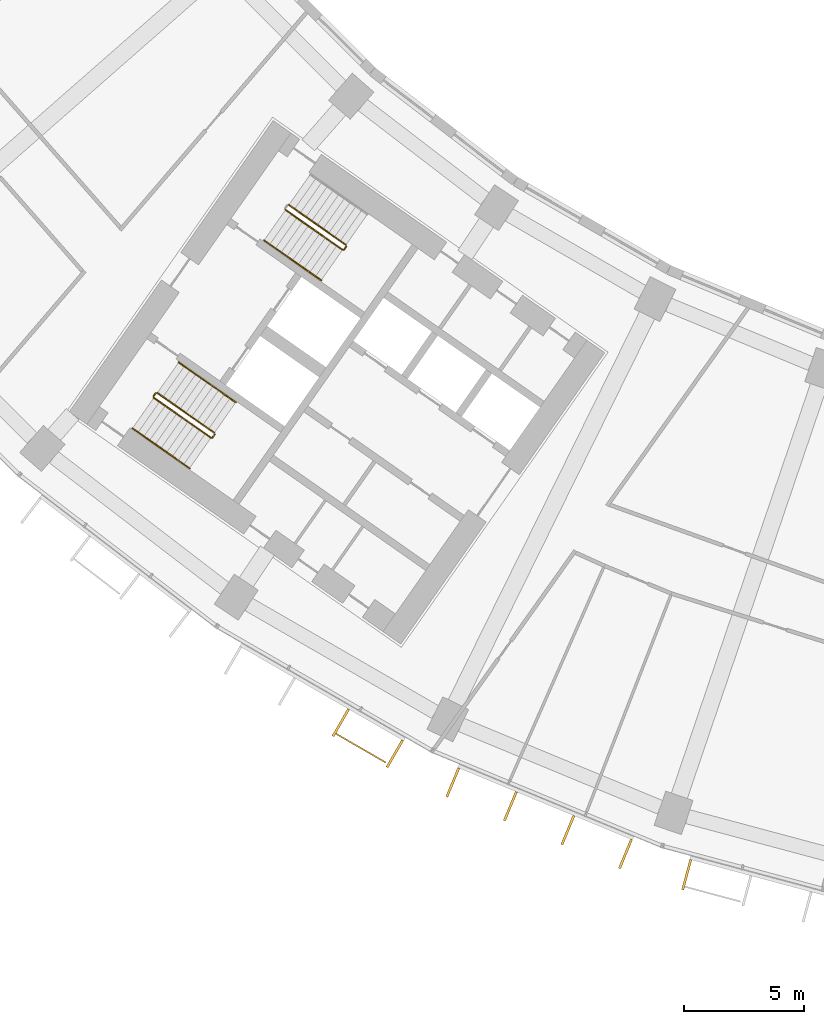
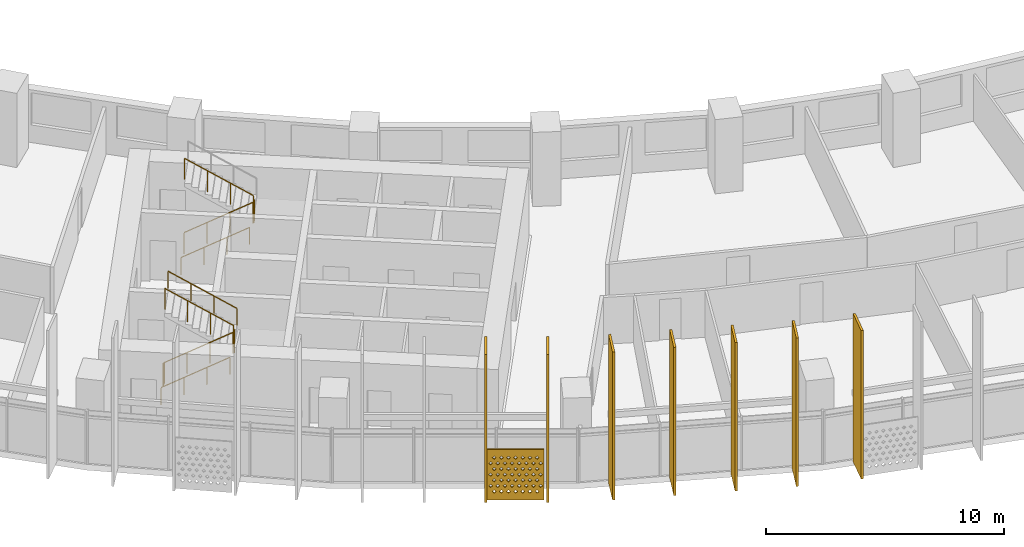
# One storey, part 24 of 30: 8 railings, 8 shading devices.
"""IFC4 building model written with IfcOpenShell, lengths in metres."""

from ifc_helpers import new_model, si_unit, direction, frame, origin, origin_2d, place, context, subcontext, project, spatial, polyline, rectangle, circle, outline, extrude, material, material_profile, profile_set, type_object, element, save


model = new_model("IFC4")

# Units and contexts
model_context = context("Model", 3, precision=1e-05, world=origin(), true_north=direction((0.0, 1.0)))
body_context = subcontext(model_context, "Body", "Model", "MODEL_VIEW")
ifc_project = project(units=[si_unit("LENGTHUNIT", "METRE"), si_unit("AREAUNIT", "SQUARE_METRE"), si_unit("VOLUMEUNIT", "CUBIC_METRE"), si_unit("PLANEANGLEUNIT", "RADIAN"), si_unit("MASSUNIT", "GRAM", prefix="KILO")], contexts=[model_context])

# Site, building, storey
site_placement = place(None, origin())
site = spatial("IfcSite", under=ifc_project, at=site_placement, CompositionType="ELEMENT")
building_placement = place(site_placement, origin())
building = spatial("IfcBuilding", under=site, at=building_placement, Name="Qamariyya Broadcast Tower", CompositionType="ELEMENT")
storey_placement = place(building_placement, frame((0.0, 0.0, 117.699951171875)))
storey = spatial("IfcBuildingStorey", under=building, at=storey_placement, Name="L26", CompositionType="ELEMENT", Elevation=117.699951171875)

# Shading device
ifc_material_1 = material(Name="Perforated glazed terracotta", Category="masonry")
ifc_material_profile_1 = material_profile(ifc_material_1, outline(polyline([(-1.199951171875, -1.300048828125), (1.199951171875, -1.300048828125), (1.199951171875, 1.300048828125), (-1.199951171875, 1.300048828125), (-1.199951171875, -1.300048828125)]), holes=[polyline([(-0.81494140625, -0.86669921875), (-0.89990234375, -0.78173828125), (-0.985107421875, -0.86669921875), (-0.89990234375, -0.95166015625), (-0.81494140625, -0.86669921875)]), polyline([(-0.514892578125, -0.86669921875), (-0.60009765625, -0.78173828125), (-0.68505859375, -0.86669921875), (-0.60009765625, -0.95166015625), (-0.514892578125, -0.86669921875)]), polyline([(-0.215087890625, -0.86669921875), (-0.300048828125, -0.78173828125), (-0.385009765625, -0.86669921875), (-0.300048828125, -0.95166015625), (-0.215087890625, -0.86669921875)]), polyline([(0.0849609375, -0.86669921875), (0.0, -0.78173828125), (-0.0849609375, -0.86669921875), (0.0, -0.95166015625), (0.0849609375, -0.86669921875)]), polyline([(0.385009765625, -0.86669921875), (0.300048828125, -0.78173828125), (0.215087890625, -0.86669921875), (0.300048828125, -0.95166015625), (0.385009765625, -0.86669921875)]), polyline([(0.68505859375, -0.86669921875), (0.60009765625, -0.78173828125), (0.514892578125, -0.86669921875), (0.60009765625, -0.95166015625), (0.68505859375, -0.86669921875)]), polyline([(0.985107421875, -0.86669921875), (0.89990234375, -0.78173828125), (0.81494140625, -0.86669921875), (0.89990234375, -0.95166015625), (0.985107421875, -0.86669921875)]), polyline([(-0.965087890625, -0.577880859375), (-1.050048828125, -0.49267578125), (-1.135009765625, -0.577880859375), (-1.050048828125, -0.662841796875), (-0.965087890625, -0.577880859375)]), polyline([(-0.6650390625, -0.577880859375), (-0.75, -0.49267578125), (-0.8349609375, -0.577880859375), (-0.75, -0.662841796875), (-0.6650390625, -0.577880859375)]), polyline([(-0.364990234375, -0.577880859375), (-0.449951171875, -0.49267578125), (-0.534912109375, -0.577880859375), (-0.449951171875, -0.662841796875), (-0.364990234375, -0.577880859375)]), polyline([(-0.06494140625, -0.577880859375), (-0.14990234375, -0.49267578125), (-0.235107421875, -0.577880859375), (-0.14990234375, -0.662841796875), (-0.06494140625, -0.577880859375)]), polyline([(0.235107421875, -0.577880859375), (0.14990234375, -0.49267578125), (0.06494140625, -0.577880859375), (0.14990234375, -0.662841796875), (0.235107421875, -0.577880859375)]), polyline([(0.534912109375, -0.577880859375), (0.449951171875, -0.49267578125), (0.364990234375, -0.577880859375), (0.449951171875, -0.662841796875), (0.534912109375, -0.577880859375)]), polyline([(0.8349609375, -0.577880859375), (0.75, -0.49267578125), (0.6650390625, -0.577880859375), (0.75, -0.662841796875), (0.8349609375, -0.577880859375)]), polyline([(1.135009765625, -0.577880859375), (1.050048828125, -0.49267578125), (0.965087890625, -0.577880859375), (1.050048828125, -0.662841796875), (1.135009765625, -0.577880859375)]), polyline([(-0.81494140625, -0.288818359375), (-0.89990234375, -0.203857421875), (-0.985107421875, -0.288818359375), (-0.89990234375, -0.373779296875), (-0.81494140625, -0.288818359375)]), polyline([(-0.514892578125, -0.288818359375), (-0.60009765625, -0.203857421875), (-0.68505859375, -0.288818359375), (-0.60009765625, -0.373779296875), (-0.514892578125, -0.288818359375)]), polyline([(-0.215087890625, -0.288818359375), (-0.300048828125, -0.203857421875), (-0.385009765625, -0.288818359375), (-0.300048828125, -0.373779296875), (-0.215087890625, -0.288818359375)]), polyline([(0.0849609375, -0.288818359375), (0.0, -0.203857421875), (-0.0849609375, -0.288818359375), (0.0, -0.373779296875), (0.0849609375, -0.288818359375)]), polyline([(0.385009765625, -0.288818359375), (0.300048828125, -0.203857421875), (0.215087890625, -0.288818359375), (0.300048828125, -0.373779296875), (0.385009765625, -0.288818359375)]), polyline([(0.68505859375, -0.288818359375), (0.60009765625, -0.203857421875), (0.514892578125, -0.288818359375), (0.60009765625, -0.373779296875), (0.68505859375, -0.288818359375)]), polyline([(0.985107421875, -0.288818359375), (0.89990234375, -0.203857421875), (0.81494140625, -0.288818359375), (0.89990234375, -0.373779296875), (0.985107421875, -0.288818359375)]), polyline([(-0.965087890625, 0.0), (-1.050048828125, 0.0849609375), (-1.135009765625, 0.0), (-1.050048828125, -0.0849609375), (-0.965087890625, 0.0)]), polyline([(-0.6650390625, 0.0), (-0.75, 0.0849609375), (-0.8349609375, 0.0), (-0.75, -0.0849609375), (-0.6650390625, 0.0)]), polyline([(-0.364990234375, 0.0), (-0.449951171875, 0.0849609375), (-0.534912109375, 0.0), (-0.449951171875, -0.0849609375), (-0.364990234375, 0.0)]), polyline([(-0.06494140625, 0.0), (-0.14990234375, 0.0849609375), (-0.235107421875, 0.0), (-0.14990234375, -0.0849609375), (-0.06494140625, 0.0)]), polyline([(0.235107421875, 0.0), (0.14990234375, 0.0849609375), (0.06494140625, 0.0), (0.14990234375, -0.0849609375), (0.235107421875, 0.0)]), polyline([(0.534912109375, 0.0), (0.449951171875, 0.0849609375), (0.364990234375, 0.0), (0.449951171875, -0.0849609375), (0.534912109375, 0.0)]), polyline([(0.8349609375, 0.0), (0.75, 0.0849609375), (0.6650390625, 0.0), (0.75, -0.0849609375), (0.8349609375, 0.0)]), polyline([(1.135009765625, 0.0), (1.050048828125, 0.0849609375), (0.965087890625, 0.0), (1.050048828125, -0.0849609375), (1.135009765625, 0.0)]), polyline([(-0.81494140625, 0.288818359375), (-0.89990234375, 0.373779296875), (-0.985107421875, 0.288818359375), (-0.89990234375, 0.203857421875), (-0.81494140625, 0.288818359375)]), polyline([(-0.514892578125, 0.288818359375), (-0.60009765625, 0.373779296875), (-0.68505859375, 0.288818359375), (-0.60009765625, 0.203857421875), (-0.514892578125, 0.288818359375)]), polyline([(-0.215087890625, 0.288818359375), (-0.300048828125, 0.373779296875), (-0.385009765625, 0.288818359375), (-0.300048828125, 0.203857421875), (-0.215087890625, 0.288818359375)]), polyline([(0.0849609375, 0.288818359375), (0.0, 0.373779296875), (-0.0849609375, 0.288818359375), (0.0, 0.203857421875), (0.0849609375, 0.288818359375)]), polyline([(0.385009765625, 0.288818359375), (0.300048828125, 0.373779296875), (0.215087890625, 0.288818359375), (0.300048828125, 0.203857421875), (0.385009765625, 0.288818359375)]), polyline([(0.68505859375, 0.288818359375), (0.60009765625, 0.373779296875), (0.514892578125, 0.288818359375), (0.60009765625, 0.203857421875), (0.68505859375, 0.288818359375)]), polyline([(0.985107421875, 0.288818359375), (0.89990234375, 0.373779296875), (0.81494140625, 0.288818359375), (0.89990234375, 0.203857421875), (0.985107421875, 0.288818359375)]), polyline([(-0.965087890625, 0.577880859375), (-1.050048828125, 0.662841796875), (-1.135009765625, 0.577880859375), (-1.050048828125, 0.49267578125), (-0.965087890625, 0.577880859375)]), polyline([(-0.6650390625, 0.577880859375), (-0.75, 0.662841796875), (-0.8349609375, 0.577880859375), (-0.75, 0.49267578125), (-0.6650390625, 0.577880859375)]), polyline([(-0.364990234375, 0.577880859375), (-0.449951171875, 0.662841796875), (-0.534912109375, 0.577880859375), (-0.449951171875, 0.49267578125), (-0.364990234375, 0.577880859375)]), polyline([(-0.06494140625, 0.577880859375), (-0.14990234375, 0.662841796875), (-0.235107421875, 0.577880859375), (-0.14990234375, 0.49267578125), (-0.06494140625, 0.577880859375)]), polyline([(0.235107421875, 0.577880859375), (0.14990234375, 0.662841796875), (0.06494140625, 0.577880859375), (0.14990234375, 0.49267578125), (0.235107421875, 0.577880859375)]), polyline([(0.534912109375, 0.577880859375), (0.449951171875, 0.662841796875), (0.364990234375, 0.577880859375), (0.449951171875, 0.49267578125), (0.534912109375, 0.577880859375)]), polyline([(0.8349609375, 0.577880859375), (0.75, 0.662841796875), (0.6650390625, 0.577880859375), (0.75, 0.49267578125), (0.8349609375, 0.577880859375)]), polyline([(1.135009765625, 0.577880859375), (1.050048828125, 0.662841796875), (0.965087890625, 0.577880859375), (1.050048828125, 0.49267578125), (1.135009765625, 0.577880859375)]), polyline([(-0.81494140625, 0.86669921875), (-0.89990234375, 0.95166015625), (-0.985107421875, 0.86669921875), (-0.89990234375, 0.78173828125), (-0.81494140625, 0.86669921875)]), polyline([(-0.514892578125, 0.86669921875), (-0.60009765625, 0.95166015625), (-0.68505859375, 0.86669921875), (-0.60009765625, 0.78173828125), (-0.514892578125, 0.86669921875)]), polyline([(-0.215087890625, 0.86669921875), (-0.300048828125, 0.95166015625), (-0.385009765625, 0.86669921875), (-0.300048828125, 0.78173828125), (-0.215087890625, 0.86669921875)]), polyline([(0.0849609375, 0.86669921875), (0.0, 0.95166015625), (-0.0849609375, 0.86669921875), (0.0, 0.78173828125), (0.0849609375, 0.86669921875)]), polyline([(0.385009765625, 0.86669921875), (0.300048828125, 0.95166015625), (0.215087890625, 0.86669921875), (0.300048828125, 0.78173828125), (0.385009765625, 0.86669921875)]), polyline([(0.68505859375, 0.86669921875), (0.60009765625, 0.95166015625), (0.514892578125, 0.86669921875), (0.60009765625, 0.78173828125), (0.68505859375, 0.86669921875)]), polyline([(0.985107421875, 0.86669921875), (0.89990234375, 0.95166015625), (0.81494140625, 0.86669921875), (0.89990234375, 0.78173828125), (0.985107421875, 0.86669921875)])]))
ifc_profile_set_1 = profile_set([ifc_material_profile_1], Name="Perforated glazed terracotta")
shading_device_type_1 = type_object("IfcShadingDeviceType", Name="Perforated terracotta screen 2400 x 2600", PredefinedType="USERDEFINED", material=ifc_profile_set_1)
shading_device_placement = place(storey_placement, frame((-37.99462890625, -70.90185546875, 1.35009765625), z_axis=(-0.500074377092, -0.865982457891, 0.0), x_axis=(0.865982457891, -0.500074377092, 0.0)))
element("IfcShadingDevice", 1, at=shading_device_placement, inside=storey, type_object=shading_device_type_1, Name="e-scr-L26-05-2", ObjectType="SCREEN", PredefinedType="USERDEFINED", context=body_context, shape_type="SweptSolid", body=[
    extrude(outline(polyline([(-1.199951171875, -1.300048828125), (1.199951171875, -1.300048828125), (1.199951171875, 1.300048828125), (-1.199951171875, 1.300048828125), (-1.199951171875, -1.300048828125)]), holes=[polyline([(-0.81494140625, -0.86669921875), (-0.89990234375, -0.78173828125), (-0.985107421875, -0.86669921875), (-0.89990234375, -0.95166015625), (-0.81494140625, -0.86669921875)]), polyline([(-0.514892578125, -0.86669921875), (-0.60009765625, -0.78173828125), (-0.68505859375, -0.86669921875), (-0.60009765625, -0.95166015625), (-0.514892578125, -0.86669921875)]), polyline([(-0.215087890625, -0.86669921875), (-0.300048828125, -0.78173828125), (-0.385009765625, -0.86669921875), (-0.300048828125, -0.95166015625), (-0.215087890625, -0.86669921875)]), polyline([(0.0849609375, -0.86669921875), (0.0, -0.78173828125), (-0.0849609375, -0.86669921875), (0.0, -0.95166015625), (0.0849609375, -0.86669921875)]), polyline([(0.385009765625, -0.86669921875), (0.300048828125, -0.78173828125), (0.215087890625, -0.86669921875), (0.300048828125, -0.95166015625), (0.385009765625, -0.86669921875)]), polyline([(0.68505859375, -0.86669921875), (0.60009765625, -0.78173828125), (0.514892578125, -0.86669921875), (0.60009765625, -0.95166015625), (0.68505859375, -0.86669921875)]), polyline([(0.985107421875, -0.86669921875), (0.89990234375, -0.78173828125), (0.81494140625, -0.86669921875), (0.89990234375, -0.95166015625), (0.985107421875, -0.86669921875)]), polyline([(-0.965087890625, -0.577880859375), (-1.050048828125, -0.49267578125), (-1.135009765625, -0.577880859375), (-1.050048828125, -0.662841796875), (-0.965087890625, -0.577880859375)]), polyline([(-0.6650390625, -0.577880859375), (-0.75, -0.49267578125), (-0.8349609375, -0.577880859375), (-0.75, -0.662841796875), (-0.6650390625, -0.577880859375)]), polyline([(-0.364990234375, -0.577880859375), (-0.449951171875, -0.49267578125), (-0.534912109375, -0.577880859375), (-0.449951171875, -0.662841796875), (-0.364990234375, -0.577880859375)]), polyline([(-0.06494140625, -0.577880859375), (-0.14990234375, -0.49267578125), (-0.235107421875, -0.577880859375), (-0.14990234375, -0.662841796875), (-0.06494140625, -0.577880859375)]), polyline([(0.235107421875, -0.577880859375), (0.14990234375, -0.49267578125), (0.06494140625, -0.577880859375), (0.14990234375, -0.662841796875), (0.235107421875, -0.577880859375)]), polyline([(0.534912109375, -0.577880859375), (0.449951171875, -0.49267578125), (0.364990234375, -0.577880859375), (0.449951171875, -0.662841796875), (0.534912109375, -0.577880859375)]), polyline([(0.8349609375, -0.577880859375), (0.75, -0.49267578125), (0.6650390625, -0.577880859375), (0.75, -0.662841796875), (0.8349609375, -0.577880859375)]), polyline([(1.135009765625, -0.577880859375), (1.050048828125, -0.49267578125), (0.965087890625, -0.577880859375), (1.050048828125, -0.662841796875), (1.135009765625, -0.577880859375)]), polyline([(-0.81494140625, -0.288818359375), (-0.89990234375, -0.203857421875), (-0.985107421875, -0.288818359375), (-0.89990234375, -0.373779296875), (-0.81494140625, -0.288818359375)]), polyline([(-0.514892578125, -0.288818359375), (-0.60009765625, -0.203857421875), (-0.68505859375, -0.288818359375), (-0.60009765625, -0.373779296875), (-0.514892578125, -0.288818359375)]), polyline([(-0.215087890625, -0.288818359375), (-0.300048828125, -0.203857421875), (-0.385009765625, -0.288818359375), (-0.300048828125, -0.373779296875), (-0.215087890625, -0.288818359375)]), polyline([(0.0849609375, -0.288818359375), (0.0, -0.203857421875), (-0.0849609375, -0.288818359375), (0.0, -0.373779296875), (0.0849609375, -0.288818359375)]), polyline([(0.385009765625, -0.288818359375), (0.300048828125, -0.203857421875), (0.215087890625, -0.288818359375), (0.300048828125, -0.373779296875), (0.385009765625, -0.288818359375)]), polyline([(0.68505859375, -0.288818359375), (0.60009765625, -0.203857421875), (0.514892578125, -0.288818359375), (0.60009765625, -0.373779296875), (0.68505859375, -0.288818359375)]), polyline([(0.985107421875, -0.288818359375), (0.89990234375, -0.203857421875), (0.81494140625, -0.288818359375), (0.89990234375, -0.373779296875), (0.985107421875, -0.288818359375)]), polyline([(-0.965087890625, 0.0), (-1.050048828125, 0.0849609375), (-1.135009765625, 0.0), (-1.050048828125, -0.0849609375), (-0.965087890625, 0.0)]), polyline([(-0.6650390625, 0.0), (-0.75, 0.0849609375), (-0.8349609375, 0.0), (-0.75, -0.0849609375), (-0.6650390625, 0.0)]), polyline([(-0.364990234375, 0.0), (-0.449951171875, 0.0849609375), (-0.534912109375, 0.0), (-0.449951171875, -0.0849609375), (-0.364990234375, 0.0)]), polyline([(-0.06494140625, 0.0), (-0.14990234375, 0.0849609375), (-0.235107421875, 0.0), (-0.14990234375, -0.0849609375), (-0.06494140625, 0.0)]), polyline([(0.235107421875, 0.0), (0.14990234375, 0.0849609375), (0.06494140625, 0.0), (0.14990234375, -0.0849609375), (0.235107421875, 0.0)]), polyline([(0.534912109375, 0.0), (0.449951171875, 0.0849609375), (0.364990234375, 0.0), (0.449951171875, -0.0849609375), (0.534912109375, 0.0)]), polyline([(0.8349609375, 0.0), (0.75, 0.0849609375), (0.6650390625, 0.0), (0.75, -0.0849609375), (0.8349609375, 0.0)]), polyline([(1.135009765625, 0.0), (1.050048828125, 0.0849609375), (0.965087890625, 0.0), (1.050048828125, -0.0849609375), (1.135009765625, 0.0)]), polyline([(-0.81494140625, 0.288818359375), (-0.89990234375, 0.373779296875), (-0.985107421875, 0.288818359375), (-0.89990234375, 0.203857421875), (-0.81494140625, 0.288818359375)]), polyline([(-0.514892578125, 0.288818359375), (-0.60009765625, 0.373779296875), (-0.68505859375, 0.288818359375), (-0.60009765625, 0.203857421875), (-0.514892578125, 0.288818359375)]), polyline([(-0.215087890625, 0.288818359375), (-0.300048828125, 0.373779296875), (-0.385009765625, 0.288818359375), (-0.300048828125, 0.203857421875), (-0.215087890625, 0.288818359375)]), polyline([(0.0849609375, 0.288818359375), (0.0, 0.373779296875), (-0.0849609375, 0.288818359375), (0.0, 0.203857421875), (0.0849609375, 0.288818359375)]), polyline([(0.385009765625, 0.288818359375), (0.300048828125, 0.373779296875), (0.215087890625, 0.288818359375), (0.300048828125, 0.203857421875), (0.385009765625, 0.288818359375)]), polyline([(0.68505859375, 0.288818359375), (0.60009765625, 0.373779296875), (0.514892578125, 0.288818359375), (0.60009765625, 0.203857421875), (0.68505859375, 0.288818359375)]), polyline([(0.985107421875, 0.288818359375), (0.89990234375, 0.373779296875), (0.81494140625, 0.288818359375), (0.89990234375, 0.203857421875), (0.985107421875, 0.288818359375)]), polyline([(-0.965087890625, 0.577880859375), (-1.050048828125, 0.662841796875), (-1.135009765625, 0.577880859375), (-1.050048828125, 0.49267578125), (-0.965087890625, 0.577880859375)]), polyline([(-0.6650390625, 0.577880859375), (-0.75, 0.662841796875), (-0.8349609375, 0.577880859375), (-0.75, 0.49267578125), (-0.6650390625, 0.577880859375)]), polyline([(-0.364990234375, 0.577880859375), (-0.449951171875, 0.662841796875), (-0.534912109375, 0.577880859375), (-0.449951171875, 0.49267578125), (-0.364990234375, 0.577880859375)]), polyline([(-0.06494140625, 0.577880859375), (-0.14990234375, 0.662841796875), (-0.235107421875, 0.577880859375), (-0.14990234375, 0.49267578125), (-0.06494140625, 0.577880859375)]), polyline([(0.235107421875, 0.577880859375), (0.14990234375, 0.662841796875), (0.06494140625, 0.577880859375), (0.14990234375, 0.49267578125), (0.235107421875, 0.577880859375)]), polyline([(0.534912109375, 0.577880859375), (0.449951171875, 0.662841796875), (0.364990234375, 0.577880859375), (0.449951171875, 0.49267578125), (0.534912109375, 0.577880859375)]), polyline([(0.8349609375, 0.577880859375), (0.75, 0.662841796875), (0.6650390625, 0.577880859375), (0.75, 0.49267578125), (0.8349609375, 0.577880859375)]), polyline([(1.135009765625, 0.577880859375), (1.050048828125, 0.662841796875), (0.965087890625, 0.577880859375), (1.050048828125, 0.49267578125), (1.135009765625, 0.577880859375)]), polyline([(-0.81494140625, 0.86669921875), (-0.89990234375, 0.95166015625), (-0.985107421875, 0.86669921875), (-0.89990234375, 0.78173828125), (-0.81494140625, 0.86669921875)]), polyline([(-0.514892578125, 0.86669921875), (-0.60009765625, 0.95166015625), (-0.68505859375, 0.86669921875), (-0.60009765625, 0.78173828125), (-0.514892578125, 0.86669921875)]), polyline([(-0.215087890625, 0.86669921875), (-0.300048828125, 0.95166015625), (-0.385009765625, 0.86669921875), (-0.300048828125, 0.78173828125), (-0.215087890625, 0.86669921875)]), polyline([(0.0849609375, 0.86669921875), (0.0, 0.95166015625), (-0.0849609375, 0.86669921875), (0.0, 0.78173828125), (0.0849609375, 0.86669921875)]), polyline([(0.385009765625, 0.86669921875), (0.300048828125, 0.95166015625), (0.215087890625, 0.86669921875), (0.300048828125, 0.78173828125), (0.385009765625, 0.86669921875)]), polyline([(0.68505859375, 0.86669921875), (0.60009765625, 0.95166015625), (0.514892578125, 0.86669921875), (0.60009765625, 0.78173828125), (0.68505859375, 0.86669921875)]), polyline([(0.985107421875, 0.86669921875), (0.89990234375, 0.95166015625), (0.81494140625, 0.86669921875), (0.89990234375, 0.78173828125), (0.985107421875, 0.86669921875)])]), origin(), (0.0, 0.0, 1.0), 0.06005859375),
])

# Railings
ifc_material_2 = material(Name="Painted steel", Category="steel")
railing_type_1 = type_object("IfcRailingType", Name="Stair guard", PredefinedType="GUARDRAIL", material=ifc_material_2)
railing_1_placement = place(storey_placement, frame((-41.146728515625, -48.52490234375, 0.1728515625)))
element("IfcRailing", 2, at=railing_1_placement, inside=storey, type_object=railing_type_1, Name="L26 ST-W2 stair guard 1", PredefinedType="GUARDRAIL", context=body_context, shape_type="SweptSolid", body=[
    extrude(circle(Radius=0.02392578125, at=origin_2d()), frame((0.0, 0.0, 1.076171875), z_axis=(0.703770094002, -0.492783725636, 0.511734163933), x_axis=(0.573575343427, 0.819152809562, 0.0)), (0.0, 0.0, 1.0), 3.37548828125),
    extrude(circle(Radius=0.02392578125, at=origin_2d()), frame((2.37548828125, -1.663330078125, 2.80322265625), z_axis=(0.985059694769, 0.172213233351, 0.0), x_axis=(-0.172213233351, 0.985059694769, 0.0)), (0.0, 0.0, 1.0), 0.07080078125),
    extrude(circle(Radius=0.02392578125, at=origin_2d()), frame((2.4453125, -1.651123046875, 2.80322265625), z_axis=(0.572588637393, 0.819842821722, 0.0), x_axis=(-0.819842821722, 0.572588637393, 0.0)), (0.0, 0.0, 1.0), 0.150146484375),
    extrude(circle(Radius=0.02099609375, at=origin_2d()), origin(), (0.0, 0.0, 1.0), 1.052001953125),
    extrude(circle(Radius=0.02099609375, at=origin_2d()), frame((0.791748046875, -0.554443359375, 0.57568359375)), (0.0, 0.0, 1.0), 1.052001953125),
    extrude(circle(Radius=0.02099609375, at=origin_2d()), frame((1.583740234375, -1.10888671875, 1.151611328125)), (0.0, 0.0, 1.0), 1.052001953125),
    extrude(circle(Radius=0.02099609375, at=origin_2d()), frame((2.37548828125, -1.663330078125, 1.727294921875)), (0.0, 0.0, 1.0), 1.052001953125),
    extrude(circle(Radius=0.02099609375, at=origin_2d()), frame((2.4453125, -1.651123046875, 1.727294921875)), (0.0, 0.0, 1.0), 1.052001953125),
    extrude(circle(Radius=0.02099609375, at=origin_2d()), frame((2.53125, -1.528076171875, 1.727294921875)), (0.0, 0.0, 1.0), 1.052001953125),
])
railing_2_placement = place(storey_placement, frame((-38.627685546875, -49.9833984375, 2.07275390625)))
element("IfcRailing", 3, at=railing_2_placement, inside=storey, type_object=railing_type_1, Name="L26 ST-W2 stair guard 2", PredefinedType="GUARDRAIL", context=body_context, shape_type="SweptSolid", body=[
    extrude(circle(Radius=0.02392578125, at=origin_2d()), frame((0.0, 0.0, 1.076171875), z_axis=(-0.703770094002, 0.492783725636, 0.511734163933), x_axis=(-0.573575343427, -0.819152809562, 0.0)), (0.0, 0.0, 1.0), 3.37548828125),
    extrude(circle(Radius=0.02099609375, at=origin_2d()), origin(), (0.0, 0.0, 1.0), 1.052001953125),
    extrude(circle(Radius=0.02099609375, at=origin_2d()), frame((-0.791748046875, 0.554443359375, 0.57568359375)), (0.0, 0.0, 1.0), 1.052001953125),
    extrude(circle(Radius=0.02099609375, at=origin_2d()), frame((-1.583740234375, 1.10888671875, 1.151611328125)), (0.0, 0.0, 1.0), 1.052001953125),
    extrude(circle(Radius=0.02099609375, at=origin_2d()), frame((-2.37548828125, 1.663330078125, 1.727294921875)), (0.0, 0.0, 1.0), 1.052001953125),
])
railing_3_placement = place(storey_placement, frame((-46.624267578125, -56.34765625, 0.1728515625)))
element("IfcRailing", 4, at=railing_3_placement, inside=storey, type_object=railing_type_1, Name="L26 ST-W1 stair guard 1", PredefinedType="GUARDRAIL", context=body_context, shape_type="SweptSolid", body=[
    extrude(circle(Radius=0.02392578125, at=origin_2d()), frame((0.0, 0.0, 1.076171875), z_axis=(0.703745009021, -0.492838488332, 0.511715923826), x_axis=(0.573631830683, 0.819113253969, 0.0)), (0.0, 0.0, 1.0), 3.37548828125),
    extrude(circle(Radius=0.02392578125, at=origin_2d()), frame((2.37548828125, -1.66357421875, 2.80322265625), z_axis=(0.984363469884, 0.176149252506, 0.0), x_axis=(-0.176149252506, 0.984363469884, 0.0)), (0.0, 0.0, 1.0), 0.07080078125),
    extrude(circle(Radius=0.02392578125, at=origin_2d()), frame((2.445068359375, -1.651123046875, 2.80322265625), z_axis=(0.574444878118, 0.818543268254, 0.0), x_axis=(-0.818543268254, 0.574444878118, 0.0)), (0.0, 0.0, 1.0), 0.150146484375),
    extrude(circle(Radius=0.02099609375, at=origin_2d()), origin(), (0.0, 0.0, 1.0), 1.052001953125),
    extrude(circle(Radius=0.02099609375, at=origin_2d()), frame((0.791748046875, -0.554443359375, 0.57568359375)), (0.0, 0.0, 1.0), 1.052001953125),
    extrude(circle(Radius=0.02099609375, at=origin_2d()), frame((1.583740234375, -1.109130859375, 1.151611328125)), (0.0, 0.0, 1.0), 1.052001953125),
    extrude(circle(Radius=0.02099609375, at=origin_2d()), frame((2.37548828125, -1.66357421875, 1.727294921875)), (0.0, 0.0, 1.0), 1.052001953125),
    extrude(circle(Radius=0.02099609375, at=origin_2d()), frame((2.445068359375, -1.651123046875, 1.727294921875)), (0.0, 0.0, 1.0), 1.052001953125),
    extrude(circle(Radius=0.02099609375, at=origin_2d()), frame((2.53125, -1.5283203125, 1.727294921875)), (0.0, 0.0, 1.0), 1.052001953125),
])
railing_4_placement = place(storey_placement, frame((-44.10546875, -57.806396484375, 2.07275390625)))
element("IfcRailing", 5, at=railing_4_placement, inside=storey, type_object=railing_type_1, Name="L26 ST-W1 stair guard 2", PredefinedType="GUARDRAIL", context=body_context, shape_type="SweptSolid", body=[
    extrude(circle(Radius=0.02392578125, at=origin_2d()), frame((0.0, 0.0, 1.076171875), z_axis=(-0.703770094002, 0.492783725636, 0.511734163933), x_axis=(-0.573575343427, -0.819152809562, 0.0)), (0.0, 0.0, 1.0), 3.37548828125),
    extrude(circle(Radius=0.02099609375, at=origin_2d()), origin(), (0.0, 0.0, 1.0), 1.052001953125),
    extrude(circle(Radius=0.02099609375, at=origin_2d()), frame((-0.791748046875, 0.554443359375, 0.57568359375)), (0.0, 0.0, 1.0), 1.052001953125),
    extrude(circle(Radius=0.02099609375, at=origin_2d()), frame((-1.583740234375, 1.10888671875, 1.151611328125)), (0.0, 0.0, 1.0), 1.052001953125),
    extrude(circle(Radius=0.02099609375, at=origin_2d()), frame((-2.37548828125, 1.663330078125, 1.727294921875)), (0.0, 0.0, 1.0), 1.052001953125),
])
railing_5_placement = place(storey_placement, frame((-46.63671875, -56.278076171875, 0.0)))
element("IfcRailing", 6, at=railing_5_placement, inside=storey, type_object=railing_type_1, Name="L26 ST-W1 stair guard 3", PredefinedType="GUARDRAIL", context=body_context, shape_type="SweptSolid", body=[
    extrude(circle(Radius=0.02392578125, at=origin_2d()), frame((0.0, 0.0, 1.076171875), z_axis=(0.574444878118, 0.818543268254, 0.0), x_axis=(-0.818543268254, 0.574444878118, 0.0)), (0.0, 0.0, 1.0), 0.150146484375),
    extrude(circle(Radius=0.02099609375, at=origin_2d()), origin(), (0.0, 0.0, 1.0), 1.052001953125),
    extrude(circle(Radius=0.02099609375, at=origin_2d()), frame((0.086181640625, 0.122802734375, 0.0)), (0.0, 0.0, 1.0), 1.052001953125),
])
ifc_material_3 = material(Name="Stainless steel", Category="steel")
railing_type_2 = type_object("IfcRailingType", Name="Stair handrail", PredefinedType="HANDRAIL", material=ifc_material_3)
railing_6_placement = place(storey_placement, frame((-42.03564453125, -49.79443359375, 0.1728515625)))
element("IfcRailing", 7, at=railing_6_placement, inside=storey, type_object=railing_type_2, Name="L26 ST-W2 stair handrail 1", PredefinedType="HANDRAIL", context=body_context, shape_type="SweptSolid", body=[
    extrude(circle(Radius=0.02392578125, at=origin_2d()), frame((0.0, 0.0, 0.8759765625), z_axis=(0.703745009021, -0.492838488332, 0.511715923826), x_axis=(0.573631830683, 0.819113253969, 0.0)), (0.0, 0.0, 1.0), 3.37548828125),
    extrude(circle(Radius=0.02099609375, at=origin_2d()), origin(), (0.0, 0.0, 1.0), 0.851806640625),
    extrude(circle(Radius=0.02099609375, at=origin_2d()), frame((0.791748046875, -0.554443359375, 0.57568359375)), (0.0, 0.0, 1.0), 0.851806640625),
    extrude(circle(Radius=0.02099609375, at=origin_2d()), frame((1.583740234375, -1.109130859375, 1.151611328125)), (0.0, 0.0, 1.0), 0.851806640625),
    extrude(circle(Radius=0.02099609375, at=origin_2d()), frame((2.37548828125, -1.66357421875, 1.727294921875)), (0.0, 0.0, 1.0), 0.851806640625),
])
railing_7_placement = place(storey_placement, frame((-47.513427734375, -57.617431640625, 0.1728515625)))
element("IfcRailing", 8, at=railing_7_placement, inside=storey, type_object=railing_type_2, Name="L26 ST-W1 stair handrail 1", PredefinedType="HANDRAIL", context=body_context, shape_type="SweptSolid", body=[
    extrude(circle(Radius=0.02392578125, at=origin_2d()), frame((0.0, 0.0, 0.8759765625), z_axis=(0.703770094002, -0.492783725636, 0.511734163933), x_axis=(0.573575343427, 0.819152809562, 0.0)), (0.0, 0.0, 1.0), 3.37548828125),
    extrude(circle(Radius=0.02099609375, at=origin_2d()), origin(), (0.0, 0.0, 1.0), 0.851806640625),
    extrude(circle(Radius=0.02099609375, at=origin_2d()), frame((0.791748046875, -0.554443359375, 0.57568359375)), (0.0, 0.0, 1.0), 0.851806640625),
    extrude(circle(Radius=0.02099609375, at=origin_2d()), frame((1.583740234375, -1.10888671875, 1.151611328125)), (0.0, 0.0, 1.0), 0.851806640625),
    extrude(circle(Radius=0.02099609375, at=origin_2d()), frame((2.37548828125, -1.663330078125, 1.727294921875)), (0.0, 0.0, 1.0), 0.851806640625),
])
railing_8_placement = place(storey_placement, frame((-43.21630859375, -56.53662109375, 2.07275390625)))
element("IfcRailing", 9, at=railing_8_placement, inside=storey, type_object=railing_type_2, Name="L26 ST-W1 stair handrail 2", PredefinedType="HANDRAIL", context=body_context, shape_type="SweptSolid", body=[
    extrude(circle(Radius=0.02392578125, at=origin_2d()), frame((0.0, 0.0, 0.8759765625), z_axis=(-0.703770094002, 0.492783725636, 0.511734163933), x_axis=(-0.573575343427, -0.819152809562, 0.0)), (0.0, 0.0, 1.0), 3.37548828125),
    extrude(circle(Radius=0.02099609375, at=origin_2d()), origin(), (0.0, 0.0, 1.0), 0.851806640625),
    extrude(circle(Radius=0.02099609375, at=origin_2d()), frame((-0.791748046875, 0.554443359375, 0.57568359375)), (0.0, 0.0, 1.0), 0.851806640625),
    extrude(circle(Radius=0.02099609375, at=origin_2d()), frame((-1.583740234375, 1.10888671875, 1.151611328125)), (0.0, 0.0, 1.0), 0.851806640625),
    extrude(circle(Radius=0.02099609375, at=origin_2d()), frame((-2.37548828125, 1.663330078125, 1.727294921875)), (0.0, 0.0, 1.0), 0.851806640625),
])

# Shading devices
ifc_material_4 = material(Name="Glazed terracotta", Category="masonry")
ifc_material_profile_2 = material_profile(ifc_material_4, rectangle(XDim=1.300048828125, YDim=0.10009765625, at=origin_2d()))
ifc_profile_set_2 = profile_set([ifc_material_profile_2], Name="Glazed terracotta")
shading_device_type_2 = type_object("IfcShadingDeviceType", Name="Terracotta fin 100 x 1300", PredefinedType="USERDEFINED", material=ifc_profile_set_2)
for number, where, z_axis, x_axis, name in (
    (10, (-38.84228515625, -69.869873046875, 0.0), (0.0, 0.0, 1.0), (-0.5, -0.866025403784, 0.0), "e-fin-L26-05-2"),
    (11, (-36.596435546875, -71.16650390625, 0.0), (0.0, 0.0, 1.0), (-0.5, -0.866025403784, 0.0), "e-fin-L26-05-3"),
    (12, (-34.181640625, -72.357421875, 0.0), (0.0, 0.0, 1.0), (-0.382683432365, -0.923879532511, 0.0), "e-fin-L26-06-0"),
    (13, (-31.785888671875, -73.349609375, 0.0), (0.0, 0.0, 1.0), (-0.382683432365, -0.923879532511, 0.0), "e-fin-L26-06-1"),
    (14, (-29.39013671875, -74.342041015625, 0.0), (0.0, 0.0, 1.0), (-0.382683432365, -0.923879532511, 0.0), "e-fin-L26-06-2"),
    (15, (-26.994140625, -75.33447265625, 0.0), (0.0, 0.0, 1.0), (-0.382683432365, -0.923879532511, 0.0), "e-fin-L26-06-3"),
    (16, (-24.44482421875, -76.199951171875, 0.0), (0.0, 0.0, 1.0), (-0.258819045103, -0.965925826289, 0.0), "e-fin-L26-07-0"),
):
    element("IfcShadingDevice", number, at=place(storey_placement, frame(where, z_axis=z_axis, x_axis=x_axis)), inside=storey, type_object=shading_device_type_2, Name=name, ObjectType="FIN", PredefinedType="USERDEFINED", context=body_context, shape_type="SweptSolid", body=[
        extrude(rectangle(XDim=1.300048828125, YDim=0.10009765625, at=origin_2d()), origin(), (0.0, 0.0, 1.0), 7.60009765625),
    ])

save(model, "model.ifc")
